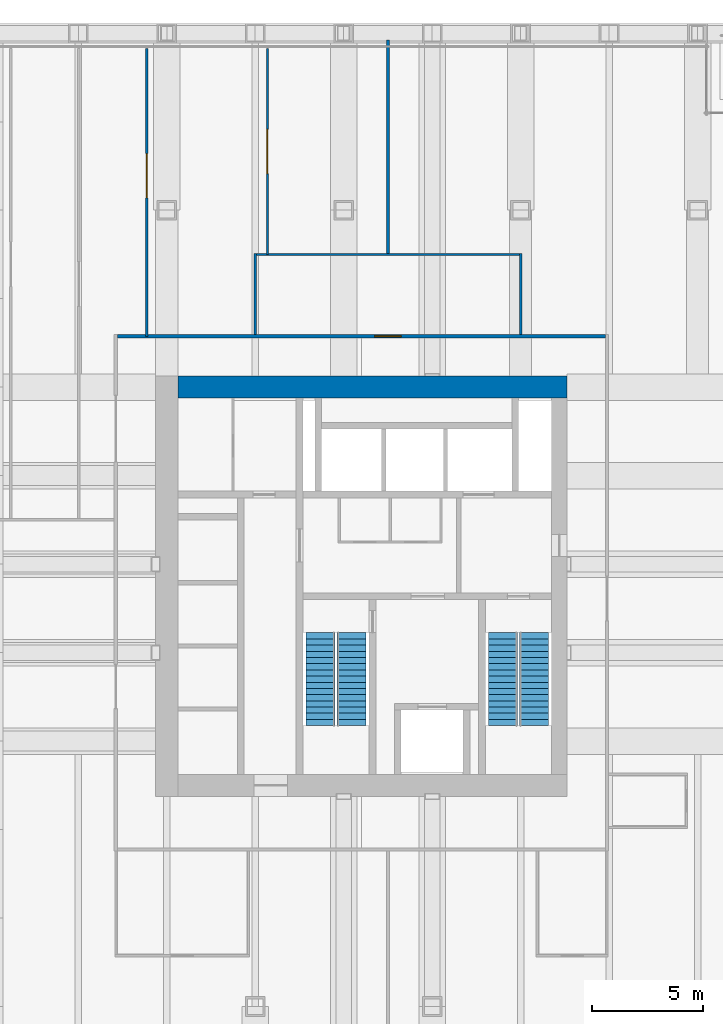
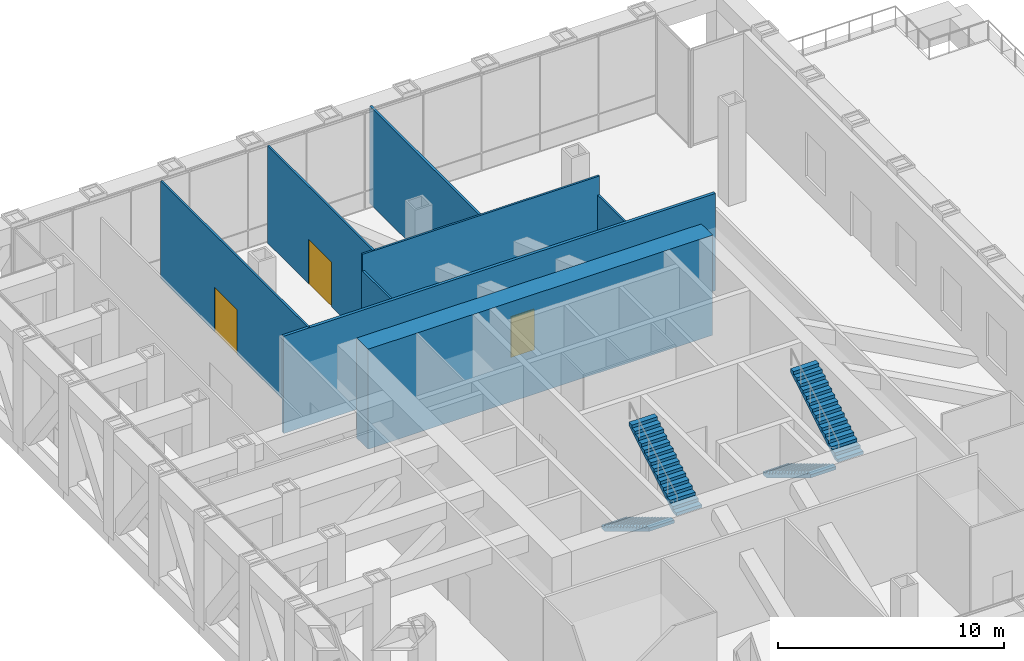
# One storey, part 12 of 13: 8 walls, 4 stair flights, 3 doors, 3 openings, 2 elements without a shape of their own.
"""IFC4 building model written with IfcOpenShell, lengths in metres."""

from ifc_helpers import new_model, si_unit, direction, frame, frame_2d, origin, place, context, subcontext, project, spatial, polyline, rectangle, outline, extrude, material, layer, layer_set, type_object, element, fill, aggregate, save


model = new_model("IFC4")

# Units and contexts
model_context = context("Model", 3, precision=1e-05, world=origin(), true_north=direction((0.0, 1.0)))
body_context = subcontext(model_context, "Body", "Model", "MODEL_VIEW")
ifc_project = project(units=[si_unit("LENGTHUNIT", "METRE"), si_unit("AREAUNIT", "SQUARE_METRE"), si_unit("VOLUMEUNIT", "CUBIC_METRE"), si_unit("PLANEANGLEUNIT", "RADIAN"), si_unit("MASSUNIT", "GRAM", prefix="KILO")], contexts=[model_context])

# Site, building, storey
site_placement = place(None, origin())
site = spatial("IfcSite", under=ifc_project, at=site_placement, CompositionType="ELEMENT")
building_placement = place(site_placement, origin())
building = spatial("IfcBuilding", under=site, at=building_placement, Name="Rimbunsela Tower", CompositionType="ELEMENT")
storey_placement = place(building_placement, frame((0.0, 0.0, 137.39990234375)))
storey = spatial("IfcBuildingStorey", under=building, at=storey_placement, Name="L33", CompositionType="ELEMENT", Elevation=137.39990234375)

# Wall
ifc_material_1 = material(Name="Concrete fc' 80 MPa", Category="concrete")
ifc_layer_1 = layer(ifc_material_1, 1.0)
ifc_layer_set_1 = layer_set([ifc_layer_1], Name="Core wall 1000")
wall_type_1 = type_object("IfcWallType", Name="Core wall 1000", PredefinedType="SHEAR", material=ifc_layer_set_1)
wall_1_placement = place(storey_placement, frame((18.5, 36.0, -0.14990234375), z_axis=(0.0, 0.0, 1.0), x_axis=(1.0, 0.0, 0.0)))
element("IfcWall", 1, at=wall_1_placement, inside=storey, type_object=wall_type_1, Name="Core wall north", PredefinedType="SHEAR", context=body_context, shape_type="SweptSolid", body=[
    extrude(rectangle(XDim=17.60009765625, YDim=1.0, at=frame_2d((8.800048828125, 0.0))), origin(), (0.0, 0.0, 1.0), 5.39990234375),
])

# Wall, opening, door
ifc_material_2 = material(Name="Gypsum board on steel studs", Category="steel")
ifc_layer_2 = layer(ifc_material_2, 0.10009765625)
ifc_layer_set_2 = layer_set([ifc_layer_2], Name="Office partition 100")
wall_type_2 = type_object("IfcWallType", Name="Office partition 100", PredefinedType="PARTITIONING", material=ifc_layer_set_2)
wall_2_placement = place(storey_placement, frame((17.09912109375, 51.320068359375, 0.0), z_axis=(0.0, 0.0, 1.0), x_axis=(0.0, -1.0, 0.0)))
wall_2 = element("IfcWall", 2, at=wall_2_placement, inside=storey, type_object=wall_type_2, Name="Plant room partition", PredefinedType="PARTITIONING", context=body_context, shape_type="SweptSolid", body=[
    extrude(rectangle(XDim=13.02001953125, YDim=0.10009765625, at=frame_2d((6.510009765625, 0.0))), origin(), (0.0, 0.0, 1.0), 5.25),
])
opening_1_placement = place(wall_2_placement, frame((4.760009765625, 0.0, 0.0)))
opening_1 = element("IfcOpeningElement", 3, at=opening_1_placement, cuts=wall_2, Name="Opening D08", PredefinedType="OPENING", context=body_context, shape_type="SweptSolid", body=[
    extrude(rectangle(XDim=2.0, YDim=2.39990234375, at=frame_2d((1.0, 1.199951171875))), frame((0.0, 0.06005859375, 0.0), z_axis=(0.0, -1.0, 0.0), x_axis=(1.0, 0.0, 0.0)), (0.0, 0.0, 1.0), 0.1201171875),
])
ifc_material_3 = material(Name="Steel door, fire rated", Category="steel")
door_type_1 = type_object("IfcDoorType", Name="Plant room door 2000", OperationType="DOUBLE_DOOR_DOUBLE_SWING", PredefinedType="DOOR", material=ifc_material_3)
door_1_placement = place(opening_1_placement, origin())
door_1 = element("IfcDoor", 4, at=door_1_placement, inside=storey, type_object=door_type_1, Name="Plant room door", OperationType="DOUBLE_DOOR_DOUBLE_SWING", OverallHeight=2.39990234375, OverallWidth=2.0, PredefinedType="DOOR", context=body_context, shape_type="SweptSolid", body=[
    extrude(rectangle(XDim=2.0, YDim=2.39990234375, at=frame_2d((1.0, 1.199951171875))), frame((0.0, 0.02490234375, 0.0), z_axis=(0.0, -1.0, 0.0), x_axis=(1.0, 0.0, 0.0)), (0.0, 0.0, 1.0), 0.050048828125),
])
fill(opening_1, door_1)

wall_3_placement = place(storey_placement, frame((22.549072265625, 51.320068359375, 0.0), z_axis=(0.0, 0.0, 1.0), x_axis=(0.0, -1.0, 0.0)))
wall_3 = element("IfcWall", 5, at=wall_3_placement, inside=storey, type_object=wall_type_2, Name="Plant room partition", PredefinedType="PARTITIONING", context=body_context, shape_type="SweptSolid", body=[
    extrude(rectangle(XDim=9.320068359375, YDim=0.10009765625, at=frame_2d((4.66015625, 0.0))), origin(), (0.0, 0.0, 1.0), 5.25),
])
opening_2_placement = place(wall_3_placement, frame((3.659912109375, 0.0, 0.0)))
opening_2 = element("IfcOpeningElement", 6, at=opening_2_placement, cuts=wall_3, Name="Opening D08", PredefinedType="OPENING", context=body_context, shape_type="SweptSolid", body=[
    extrude(rectangle(XDim=2.0, YDim=2.39990234375, at=frame_2d((1.0, 1.199951171875))), frame((0.0, 0.06005859375, 0.0), z_axis=(0.0, -1.0, 0.0), x_axis=(1.0, 0.0, 0.0)), (0.0, 0.0, 1.0), 0.1201171875),
])
door_2_placement = place(opening_2_placement, origin())
door_2 = element("IfcDoor", 7, at=door_2_placement, inside=storey, type_object=door_type_1, Name="Plant room door", OperationType="DOUBLE_DOOR_DOUBLE_SWING", OverallHeight=2.39990234375, OverallWidth=2.0, PredefinedType="DOOR", context=body_context, shape_type="SweptSolid", body=[
    extrude(rectangle(XDim=2.0, YDim=2.39990234375, at=frame_2d((1.0, 1.199951171875))), frame((0.0, 0.02490234375, 0.0), z_axis=(0.0, -1.0, 0.0), x_axis=(1.0, 0.0, 0.0)), (0.0, 0.0, 1.0), 0.050048828125),
])
fill(opening_2, door_2)

ifc_material_4 = material(Name="Fire-rated gypsum board on steel studs, EI 60", Category="steel")
ifc_layer_3 = layer(ifc_material_4, 0.14990234375)
ifc_layer_set_3 = layer_set([ifc_layer_3], Name="Rated corridor wall 150")
wall_type_3 = type_object("IfcWallType", Name="Rated corridor wall 150", PredefinedType="PARTITIONING", material=ifc_layer_set_3)
wall_4_placement = place(storey_placement, frame((15.77490234375, 38.300048828125, 0.0), z_axis=(0.0, 0.0, 1.0), x_axis=(1.0, 0.0, 0.0)))
wall_4 = element("IfcWall", 8, at=wall_4_placement, inside=storey, type_object=wall_type_3, Name="Corridor wall north", PredefinedType="PARTITIONING", context=body_context, shape_type="SweptSolid", body=[
    extrude(rectangle(XDim=22.050048828125, YDim=0.14990234375, at=frame_2d((11.02490234375, 0.0))), origin(), (0.0, 0.0, 1.0), 5.25),
])
opening_3_placement = place(wall_4_placement, frame((11.625, 0.0, 0.0)))
opening_3 = element("IfcOpeningElement", 9, at=opening_3_placement, cuts=wall_4, Name="Opening D10", PredefinedType="OPENING", context=body_context, shape_type="SweptSolid", body=[
    extrude(rectangle(XDim=1.199951171875, YDim=2.199951171875, at=frame_2d((0.60009765625, 1.10009765625))), frame((0.0, 0.0849609375, 0.0), z_axis=(0.0, -1.0, 0.0), x_axis=(1.0, 0.0, 0.0)), (0.0, 0.0, 1.0), 0.169921875),
])
ifc_material_5 = material(Name="Steel door, fire rated", Category="steel")
door_type_2 = type_object("IfcDoorType", Name="Switch room door 1200", OperationType="DOUBLE_DOOR_DOUBLE_SWING", PredefinedType="DOOR", material=ifc_material_5)
door_3_placement = place(opening_3_placement, origin())
door_3 = element("IfcDoor", 10, at=door_3_placement, inside=storey, type_object=door_type_2, Name="Switch room door", OperationType="DOUBLE_DOOR_DOUBLE_SWING", OverallHeight=2.199951171875, OverallWidth=1.199951171875, PredefinedType="DOOR", context=body_context, shape_type="SweptSolid", body=[
    extrude(rectangle(XDim=1.199951171875, YDim=2.199951171875, at=frame_2d((0.60009765625, 1.10009765625))), frame((0.0, 0.02490234375, 0.0), z_axis=(0.0, -1.0, 0.0), x_axis=(1.0, 0.0, 0.0)), (0.0, 0.0, 1.0), 0.050048828125),
])
fill(opening_3, door_3)

# Walls
ifc_material_6 = material(Name="Gypsum board on steel studs", Category="steel")
ifc_layer_4 = layer(ifc_material_6, 0.1201171875)
ifc_layer_set_4 = layer_set([ifc_layer_4], Name="Tenancy partition 120")
wall_type_4 = type_object("IfcWallType", Name="Tenancy partition 120", PredefinedType="PARTITIONING", material=ifc_layer_set_4)
wall_5_placement = place(storey_placement, frame((28.0, 42.050048828125, 0.0), z_axis=(0.0, 0.0, 1.0), x_axis=(0.0, 1.0, 0.0)))
element("IfcWall", 11, at=wall_5_placement, inside=storey, type_object=wall_type_4, Name="Tenancy partition north", PredefinedType="PARTITIONING", context=body_context, shape_type="SweptSolid", body=[
    extrude(rectangle(XDim=9.64990234375, YDim=0.1201171875, at=frame_2d((4.824951171875, 0.0))), origin(), (0.0, 0.0, 1.0), 5.25),
])
ifc_material_7 = material(Name="Concrete blockwork", Category="masonry")
ifc_layer_5 = layer(ifc_material_7, 0.10009765625)
ifc_layer_set_5 = layer_set([ifc_layer_5], Name="Toilet partition 100")
wall_type_5 = type_object("IfcWallType", Name="Toilet partition 100", PredefinedType="PARTITIONING", material=ifc_layer_set_5)
wall_6_placement = place(storey_placement, frame((22.0, 38.375, 0.0), z_axis=(0.0, 0.0, 1.0), x_axis=(0.0, 1.0, 0.0)))
element("IfcWall", 12, at=wall_6_placement, inside=storey, type_object=wall_type_5, Name="Toilet block wall west", PredefinedType="PARTITIONING", context=body_context, shape_type="SweptSolid", body=[
    extrude(rectangle(XDim=3.675048828125, YDim=0.10009765625, at=frame_2d((1.83740234375, 0.0))), origin(), (0.0, 0.0, 1.0), 4.35009765625),
])
wall_7_placement = place(storey_placement, frame((34.0, 38.375, 0.0), z_axis=(0.0, 0.0, 1.0), x_axis=(0.0, 1.0, 0.0)))
element("IfcWall", 13, at=wall_7_placement, inside=storey, type_object=wall_type_5, Name="Toilet block wall east", PredefinedType="PARTITIONING", context=body_context, shape_type="SweptSolid", body=[
    extrude(rectangle(XDim=3.675048828125, YDim=0.10009765625, at=frame_2d((1.83740234375, 0.0))), origin(), (0.0, 0.0, 1.0), 4.25),
])
wall_8_placement = place(storey_placement, frame((21.949951171875, 42.0, 0.0), z_axis=(0.0, 0.0, 1.0), x_axis=(1.0, 0.0, 0.0)))
element("IfcWall", 14, at=wall_8_placement, inside=storey, type_object=wall_type_5, Name="Toilet block wall north", PredefinedType="PARTITIONING", context=body_context, shape_type="SweptSolid", body=[
    extrude(rectangle(XDim=12.10009765625, YDim=0.10009765625, at=frame_2d((6.050048828125, 0.0))), origin(), (0.0, 0.0, 1.0), 5.25),
])

# Stair, stair flights
ifc_material_8 = material(Name="Concrete fc' 35 MPa", Category="concrete")
stair_type = type_object("IfcStairType", Name="Exit stair 32 risers", PredefinedType="HALF_TURN_STAIR", material=ifc_material_8)
stair_1_placement = place(storey_placement, origin())
stair_1 = element("IfcStair", 15, at=stair_1_placement, inside=storey, type_object=stair_type, Name="Exit stair A L33", PredefinedType="HALF_TURN_STAIR")
ifc_material_9 = material(Name="Concrete fc' 35 MPa", Category="concrete")
stair_flight_type = type_object("IfcStairFlightType", Name="Stair flight 16 risers 169", PredefinedType="STRAIGHT", material=ifc_material_9)
stair_flight_1_placement = place(storey_placement, frame((24.949951171875, 24.89990234375, 0.0), z_axis=(0.0, 0.0, 1.0), x_axis=(0.0, -1.0, 0.0)))
stair_flight_1 = element("IfcStairFlight", 16, at=stair_flight_1_placement, type_object=stair_flight_type, Name="ST-A flight 1", NumberOfRisers=16, NumberOfTreads=15, PredefinedType="STRAIGHT", RiserHeight=0.16875, TreadLength=0.28, context=body_context, shape_type="SweptSolid", body=[
    extrude(outline(polyline([(0.0, 0.0), (0.0, 0.168701171875), (0.280029296875, 0.168701171875), (0.280029296875, 0.33740234375), (0.56005859375, 0.33740234375), (0.56005859375, 0.50634765625), (0.840087890625, 0.50634765625), (0.840087890625, 0.675048828125), (1.1201171875, 0.675048828125), (1.1201171875, 0.84375), (1.39990234375, 0.84375), (1.39990234375, 1.012451171875), (1.679931640625, 1.012451171875), (1.679931640625, 1.18115234375), (1.9599609375, 1.18115234375), (1.9599609375, 1.35009765625), (2.239990234375, 1.35009765625), (2.239990234375, 1.518798828125), (2.52001953125, 1.518798828125), (2.52001953125, 1.6875), (2.800048828125, 1.6875), (2.800048828125, 1.856201171875), (3.080078125, 1.856201171875), (3.080078125, 2.02490234375), (3.360107421875, 2.02490234375), (3.360107421875, 2.19384765625), (3.639892578125, 2.19384765625), (3.639892578125, 2.362548828125), (3.919921875, 2.362548828125), (3.919921875, 2.53125), (4.199951171875, 2.53125), (4.199951171875, 2.699951171875), (4.199951171875, 2.356201171875), (0.29052734375, 0.0), (0.0, 0.0)])), frame((0.0, 0.64990234375, 0.0), z_axis=(0.0, -1.0, 0.0), x_axis=(1.0, 0.0, 0.0)), (0.0, 0.0, 1.0), 1.300048828125),
])
stair_flight_2_placement = place(storey_placement, frame((26.35009765625, 20.699951171875, 2.7001953125), z_axis=(0.0, 0.0, 1.0), x_axis=(0.0, 1.0, 0.0)))
stair_flight_2 = element("IfcStairFlight", 17, at=stair_flight_2_placement, type_object=stair_flight_type, Name="ST-A flight 2", NumberOfRisers=16, NumberOfTreads=15, PredefinedType="STRAIGHT", RiserHeight=0.16875, TreadLength=0.28, context=body_context, shape_type="SweptSolid", body=[
    extrude(outline(polyline([(0.0, 0.0), (0.0, 0.168701171875), (0.280029296875, 0.168701171875), (0.280029296875, 0.33740234375), (0.56005859375, 0.33740234375), (0.56005859375, 0.50634765625), (0.840087890625, 0.50634765625), (0.840087890625, 0.675048828125), (1.1201171875, 0.675048828125), (1.1201171875, 0.84375), (1.39990234375, 0.84375), (1.39990234375, 1.012451171875), (1.679931640625, 1.012451171875), (1.679931640625, 1.18115234375), (1.9599609375, 1.18115234375), (1.9599609375, 1.35009765625), (2.239990234375, 1.35009765625), (2.239990234375, 1.518798828125), (2.52001953125, 1.518798828125), (2.52001953125, 1.6875), (2.800048828125, 1.6875), (2.800048828125, 1.856201171875), (3.080078125, 1.856201171875), (3.080078125, 2.02490234375), (3.360107421875, 2.02490234375), (3.360107421875, 2.19384765625), (3.639892578125, 2.19384765625), (3.639892578125, 2.362548828125), (3.919921875, 2.362548828125), (3.919921875, 2.53125), (4.199951171875, 2.53125), (4.199951171875, 2.699951171875), (4.199951171875, 2.356201171875), (0.29052734375, 0.0), (0.0, 0.0)])), frame((0.0, 0.64990234375, 0.0), z_axis=(0.0, -1.0, 0.0), x_axis=(1.0, 0.0, 0.0)), (0.0, 0.0, 1.0), 1.300048828125),
])
aggregate(stair_1, [stair_flight_1, stair_flight_2])

stair_2_placement = place(storey_placement, origin())
stair_2 = element("IfcStair", 18, at=stair_2_placement, inside=storey, type_object=stair_type, Name="Exit stair B L33", PredefinedType="HALF_TURN_STAIR")
stair_flight_3_placement = place(storey_placement, frame((33.199951171875, 24.89990234375, 0.0), z_axis=(0.0, 0.0, 1.0), x_axis=(0.0, -1.0, 0.0)))
stair_flight_3 = element("IfcStairFlight", 19, at=stair_flight_3_placement, type_object=stair_flight_type, Name="ST-B flight 1", NumberOfRisers=16, NumberOfTreads=15, PredefinedType="STRAIGHT", RiserHeight=0.16875, TreadLength=0.28, context=body_context, shape_type="SweptSolid", body=[
    extrude(outline(polyline([(0.0, 0.0), (0.0, 0.168701171875), (0.280029296875, 0.168701171875), (0.280029296875, 0.33740234375), (0.56005859375, 0.33740234375), (0.56005859375, 0.50634765625), (0.840087890625, 0.50634765625), (0.840087890625, 0.675048828125), (1.1201171875, 0.675048828125), (1.1201171875, 0.84375), (1.39990234375, 0.84375), (1.39990234375, 1.012451171875), (1.679931640625, 1.012451171875), (1.679931640625, 1.18115234375), (1.9599609375, 1.18115234375), (1.9599609375, 1.35009765625), (2.239990234375, 1.35009765625), (2.239990234375, 1.518798828125), (2.52001953125, 1.518798828125), (2.52001953125, 1.6875), (2.800048828125, 1.6875), (2.800048828125, 1.856201171875), (3.080078125, 1.856201171875), (3.080078125, 2.02490234375), (3.360107421875, 2.02490234375), (3.360107421875, 2.19384765625), (3.639892578125, 2.19384765625), (3.639892578125, 2.362548828125), (3.919921875, 2.362548828125), (3.919921875, 2.53125), (4.199951171875, 2.53125), (4.199951171875, 2.699951171875), (4.199951171875, 2.356201171875), (0.29052734375, 0.0), (0.0, 0.0)])), frame((0.0, 0.64990234375, 0.0), z_axis=(0.0, -1.0, 0.0), x_axis=(1.0, 0.0, 0.0)), (0.0, 0.0, 1.0), 1.300048828125),
])
stair_flight_4_placement = place(storey_placement, frame((34.60009765625, 20.699951171875, 2.7001953125), z_axis=(0.0, 0.0, 1.0), x_axis=(0.0, 1.0, 0.0)))
stair_flight_4 = element("IfcStairFlight", 20, at=stair_flight_4_placement, type_object=stair_flight_type, Name="ST-B flight 2", NumberOfRisers=16, NumberOfTreads=15, PredefinedType="STRAIGHT", RiserHeight=0.16875, TreadLength=0.28, context=body_context, shape_type="SweptSolid", body=[
    extrude(outline(polyline([(0.0, 0.0), (0.0, 0.168701171875), (0.280029296875, 0.168701171875), (0.280029296875, 0.33740234375), (0.56005859375, 0.33740234375), (0.56005859375, 0.50634765625), (0.840087890625, 0.50634765625), (0.840087890625, 0.675048828125), (1.1201171875, 0.675048828125), (1.1201171875, 0.84375), (1.39990234375, 0.84375), (1.39990234375, 1.012451171875), (1.679931640625, 1.012451171875), (1.679931640625, 1.18115234375), (1.9599609375, 1.18115234375), (1.9599609375, 1.35009765625), (2.239990234375, 1.35009765625), (2.239990234375, 1.518798828125), (2.52001953125, 1.518798828125), (2.52001953125, 1.6875), (2.800048828125, 1.6875), (2.800048828125, 1.856201171875), (3.080078125, 1.856201171875), (3.080078125, 2.02490234375), (3.360107421875, 2.02490234375), (3.360107421875, 2.19384765625), (3.639892578125, 2.19384765625), (3.639892578125, 2.362548828125), (3.919921875, 2.362548828125), (3.919921875, 2.53125), (4.199951171875, 2.53125), (4.199951171875, 2.699951171875), (4.199951171875, 2.356201171875), (0.29052734375, 0.0), (0.0, 0.0)])), frame((0.0, 0.64990234375, 0.0), z_axis=(0.0, -1.0, 0.0), x_axis=(1.0, 0.0, 0.0)), (0.0, 0.0, 1.0), 1.300048828125),
])
aggregate(stair_2, [stair_flight_3, stair_flight_4])

save(model, "model.ifc")
